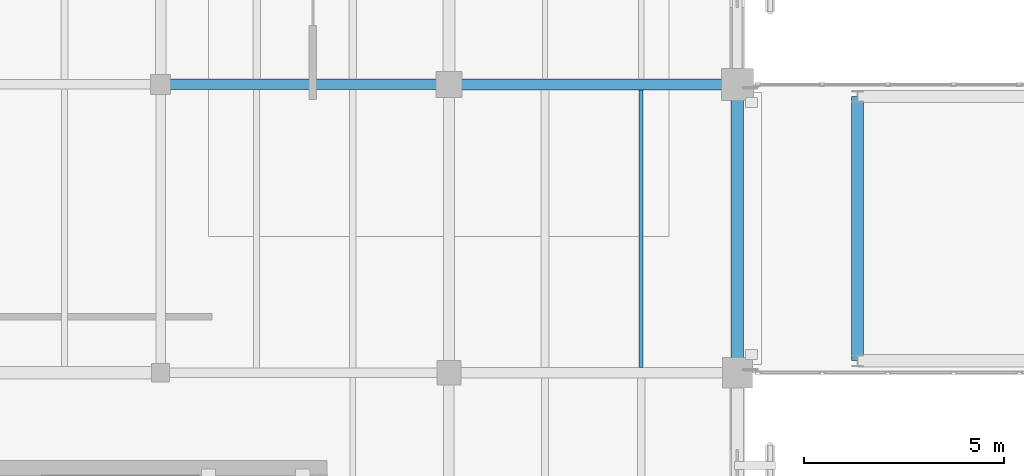
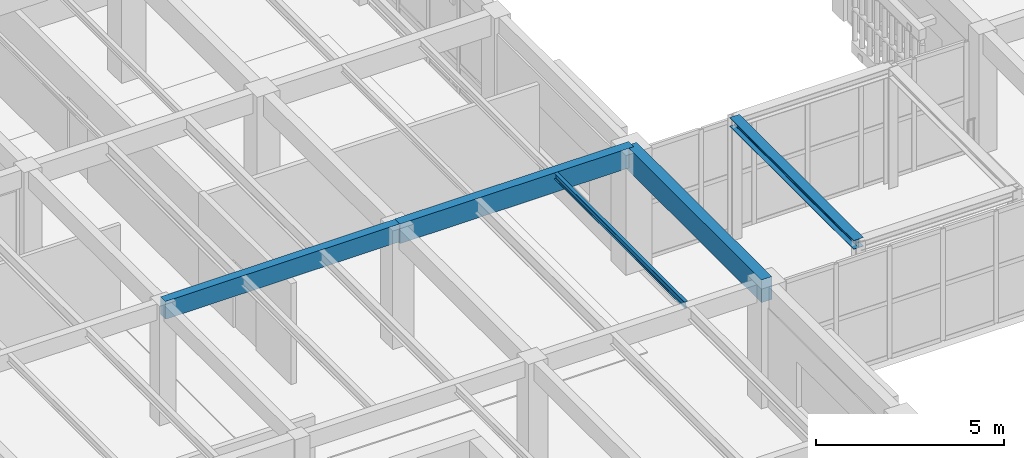
# One storey, part 24 of 170: 5 beams.
"""IFC4 building model written with IfcOpenShell, lengths in metres."""

from ifc_helpers import new_model, si_unit, direction, frame, origin, origin_2d, place, context, subcontext, project, spatial, rectangle, i_section, extrude, material, material_profile, profile_set, type_object, element, save


model = new_model("IFC4")

# Units and contexts
model_context = context("Model", 3, precision=1e-05, world=origin(), true_north=direction((0.0, 1.0)))
body_context = subcontext(model_context, "Body", "Model", "MODEL_VIEW")
ifc_project = project(units=[si_unit("LENGTHUNIT", "METRE"), si_unit("AREAUNIT", "SQUARE_METRE"), si_unit("VOLUMEUNIT", "CUBIC_METRE"), si_unit("PLANEANGLEUNIT", "RADIAN"), si_unit("MASSUNIT", "GRAM", prefix="KILO")], contexts=[model_context])

# Site, building, storey
site_placement = place(None, origin())
site = spatial("IfcSite", under=ifc_project, at=site_placement, CompositionType="ELEMENT")
building_placement = place(site_placement, origin())
building = spatial("IfcBuilding", under=site, at=building_placement, Name="Mazaris Harbour Polytechnic", CompositionType="ELEMENT")
storey_placement = place(building_placement, frame((0.0, 0.0, 5.39990234375)))
storey = spatial("IfcBuildingStorey", under=building, at=storey_placement, Name="L01", CompositionType="ELEMENT", Elevation=5.39990234375)

# Beams
ifc_material_1 = material(Name="Glulam GL32h", Category="wood")
ifc_material_profile_1 = material_profile(ifc_material_1, rectangle(XDim=0.260009765625, YDim=0.580078125, at=origin_2d()), Name="RECT260x580")
ifc_profile_set_1 = profile_set([ifc_material_profile_1], Name="Glulam GL32h")
beam_type_1 = type_object("IfcBeamType", Name="Glulam Girder 260x580", PredefinedType="BEAM", material=ifc_profile_set_1)
beam_1_placement = place(storey_placement, frame((28.800048828125, 28.800048828125, 3.60009765625), z_axis=(1.0, 0.0, 0.0), x_axis=(0.0, 1.0, 0.0)))
element("IfcBeam", 1, at=beam_1_placement, inside=storey, type_object=beam_type_1, Name="V4 L01 Girder 1646", PredefinedType="BEAM", context=body_context, shape_type="SweptSolid", body=[
    extrude(rectangle(XDim=0.260009765625, YDim=0.580078125, at=origin_2d()), origin(), (0.0, 0.0, 1.0), 7.199951171875),
])
ifc_material_2 = material(Name="Glulam GL32h", Category="wood")
ifc_material_profile_2 = material_profile(ifc_material_2, rectangle(XDim=0.280029296875, YDim=0.639892578125, at=origin_2d()), Name="RECT280x640")
ifc_profile_set_2 = profile_set([ifc_material_profile_2], Name="Glulam GL32h")
beam_type_2 = type_object("IfcBeamType", Name="Glulam Girder 280x640", PredefinedType="BEAM", material=ifc_profile_set_2)
beam_2_placement = place(storey_placement, frame((36.0, 28.800048828125, 3.570068359375), z_axis=(1.0, 0.0, 0.0), x_axis=(0.0, 1.0, 0.0)))
element("IfcBeam", 2, at=beam_2_placement, inside=storey, type_object=beam_type_2, Name="V4 L01 Girder 1647", PredefinedType="BEAM", context=body_context, shape_type="SweptSolid", body=[
    extrude(rectangle(XDim=0.280029296875, YDim=0.639892578125, at=origin_2d()), origin(), (0.0, 0.0, 1.0), 7.199951171875),
])
ifc_material_3 = material(Name="Glulam GL32h", Category="wood")
ifc_material_profile_3 = material_profile(ifc_material_3, rectangle(XDim=0.320068359375, YDim=0.739990234375, at=origin_2d()), Name="RECT320x740")
ifc_profile_set_3 = profile_set([ifc_material_profile_3], Name="Glulam GL32h")
beam_type_3 = type_object("IfcBeamType", Name="Glulam Girder 320x740 Exterior", PredefinedType="BEAM", material=ifc_profile_set_3)
beam_3_placement = place(storey_placement, frame((43.199951171875, 21.60009765625, 3.52001953125), z_axis=(0.0, 1.0, 0.0), x_axis=(-1.0, 0.0, 0.0)))
element("IfcBeam", 3, at=beam_3_placement, inside=storey, type_object=beam_type_3, Name="V4 L01 Tie Girder 1764", PredefinedType="BEAM", context=body_context, shape_type="SweptSolid", body=[
    extrude(rectangle(XDim=0.320068359375, YDim=0.739990234375, at=origin_2d()), origin(), (0.0, 0.0, 1.0), 7.199951171875),
])
ifc_material_4 = material(Name="Steel S355", Category="steel")
ifc_material_profile_4 = material_profile(ifc_material_4, i_section(OverallWidth=0.300048828125, OverallDepth=0.2900390625, WebThickness=0.008544921875, FlangeThickness=0.013916015625, FilletRadius=0.027099609375, at=origin_2d()), Name="HEA 300")
ifc_profile_set_4 = profile_set([ifc_material_profile_4], Name="Steel S355")
beam_type_4 = type_object("IfcBeamType", Name="Steel Beam HEA300 Exterior", PredefinedType="SPANDREL", material=ifc_profile_set_4)
beam_4_placement = place(storey_placement, frame((46.199951171875, 21.89990234375, 3.7900390625), z_axis=(0.0, 1.0, 0.0), x_axis=(-1.0, 0.0, 0.0)))
element("IfcBeam", 4, at=beam_4_placement, inside=storey, type_object=beam_type_4, Name="PB-W1 L01 Bridge Beam 3408", PredefinedType="SPANDREL", context=body_context, shape_type="SweptSolid", body=[
    extrude(i_section(OverallWidth=0.300048828125, OverallDepth=0.2900390625, WebThickness=0.008544921875, FlangeThickness=0.013916015625, FilletRadius=0.027099609375, at=origin_2d()), origin(), (0.0, 0.0, 1.0), 6.60009765625),
])
ifc_material_5 = material(Name="Steel S355", Category="steel")
ifc_material_profile_5 = material_profile(ifc_material_5, i_section(OverallWidth=0.10009765625, OverallDepth=0.199951171875, WebThickness=0.005615234375, FlangeThickness=0.008544921875, FilletRadius=0.011962890625, at=origin_2d()), Name="IPE 200")
ifc_profile_set_5 = profile_set([ifc_material_profile_5], Name="Steel S355")
beam_type_5 = type_object("IfcBeamType", Name="Steel Joist IPE200", PredefinedType="JOIST", material=ifc_profile_set_5)
beam_5_placement = place(storey_placement, frame((40.800048828125, 21.72998046875, 3.7900390625), z_axis=(0.0, 1.0, 0.0), x_axis=(-1.0, 0.0, 0.0)))
element("IfcBeam", 5, at=beam_5_placement, inside=storey, type_object=beam_type_5, Name="V4 L01 Floor Joist 1876", PredefinedType="JOIST", context=body_context, shape_type="SweptSolid", body=[
    extrude(i_section(OverallWidth=0.10009765625, OverallDepth=0.199951171875, WebThickness=0.005615234375, FlangeThickness=0.008544921875, FilletRadius=0.011962890625, at=origin_2d()), origin(), (0.0, 0.0, 1.0), 6.929931640625),
])

save(model, "model.ifc")
